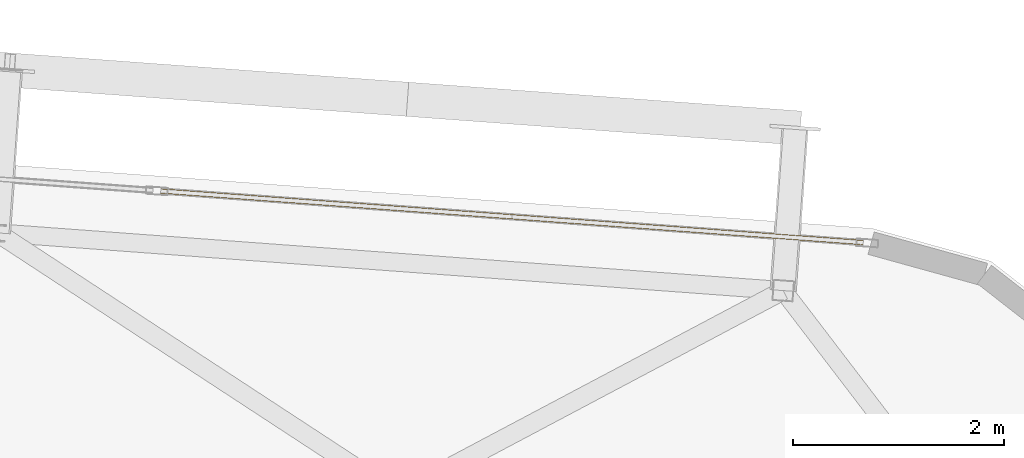
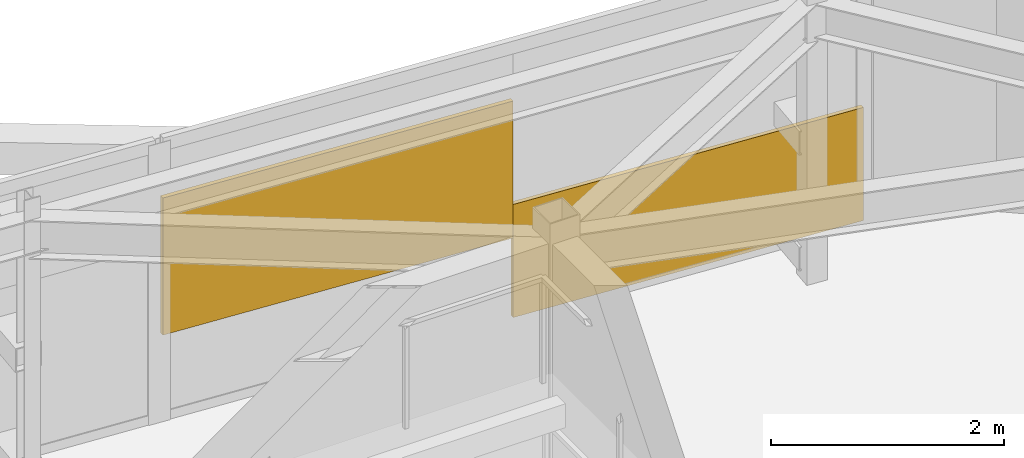
# One storey, part 39 of 39: 2 coverings.
"""IFC4 building model written with IfcOpenShell, lengths in metres."""

from ifc_helpers import new_model, si_unit, direction, frame, origin, origin_2d, place, context, subcontext, project, spatial, rectangle, extrude, source, transform, mapped, material, layer, layer_set, type_object, element, save


model = new_model("IFC4")

# Units and contexts
model_context = context("Model", 3, precision=1e-05, world=origin(), true_north=direction((0.0, 1.0)))
body_context = subcontext(model_context, "Body", "Model", "MODEL_VIEW")
ifc_project = project(units=[si_unit("LENGTHUNIT", "METRE"), si_unit("AREAUNIT", "SQUARE_METRE"), si_unit("VOLUMEUNIT", "CUBIC_METRE"), si_unit("PLANEANGLEUNIT", "RADIAN"), si_unit("MASSUNIT", "GRAM", prefix="KILO")], contexts=[model_context])

# Site, building, storey
site_placement = place(None, origin())
site = spatial("IfcSite", under=ifc_project, at=site_placement, CompositionType="ELEMENT")
building_placement = place(site_placement, origin())
building = spatial("IfcBuilding", under=site, at=building_placement, Name="Taldren Reach Tower", CompositionType="ELEMENT")
storey_placement = place(building_placement, frame((0.0, 0.0, 230.300048828125)))
storey = spatial("IfcBuildingStorey", under=building, at=storey_placement, Name="L70", CompositionType="ELEMENT", Elevation=230.300048828125)

# Coverings
ifc_material = material(Name="Pale Champagne Fluoropolymer Aluminium Spandrel Cladding", Category="aluminium")
ifc_layer = layer(ifc_material, 0.0439453125)
ifc_layer_set = layer_set([ifc_layer], Name="Pale Champagne Fluoropolymer Aluminium Spandrel Cladding")
covering_type = type_object("IfcCoveringType", Name="CV-CLAD-044", PredefinedType="CLADDING", material=ifc_layer_set)
shared_shape_1 = source(origin(), body_context, "Body", "SweptSolid", [
    extrude(rectangle(XDim=3.34375, YDim=0.0439453125, at=origin_2d()), origin(), (0.0, 0.0, 1.0), 1.43798828125),
])
covering_1_placement = place(storey_placement, frame((50.417724609375, 34.7626953125, 0.894775390625), z_axis=(0.0, 0.0, 1.0), x_axis=(-0.997314475893, 0.073238215265, 0.0)))
element("IfcCovering", 1, at=covering_1_placement, inside=storey, type_object=covering_type, Name="Diagrid closure cladding strip CW-7 panel 1.1 2", PredefinedType="CLADDING", context=body_context, shape_type="MappedRepresentation", body=[
    mapped(shared_shape_1, transform((0.0, 0.0, 0.0), scale=1.0)),
])
shared_shape_2 = source(origin(), body_context, "Body", "SweptSolid", [
    extrude(rectangle(XDim=3.34375, YDim=0.0439453125, at=origin_2d()), origin(), (0.0, 0.0, 1.0), 1.1865234375),
])
covering_2_placement = place(storey_placement, frame((53.75244140625, 34.517822265625, 0.06005859375), z_axis=(0.0, 0.0, 1.0), x_axis=(-0.997314475893, 0.073238215265, 0.0)))
element("IfcCovering", 2, at=covering_2_placement, inside=storey, type_object=covering_type, Name="Diagrid closure cladding strip CW-7 panel 1.1 1", PredefinedType="CLADDING", context=body_context, shape_type="MappedRepresentation", body=[
    mapped(shared_shape_2, transform((0.0, 0.0, 0.0), scale=1.0)),
])

save(model, "model.ifc")
